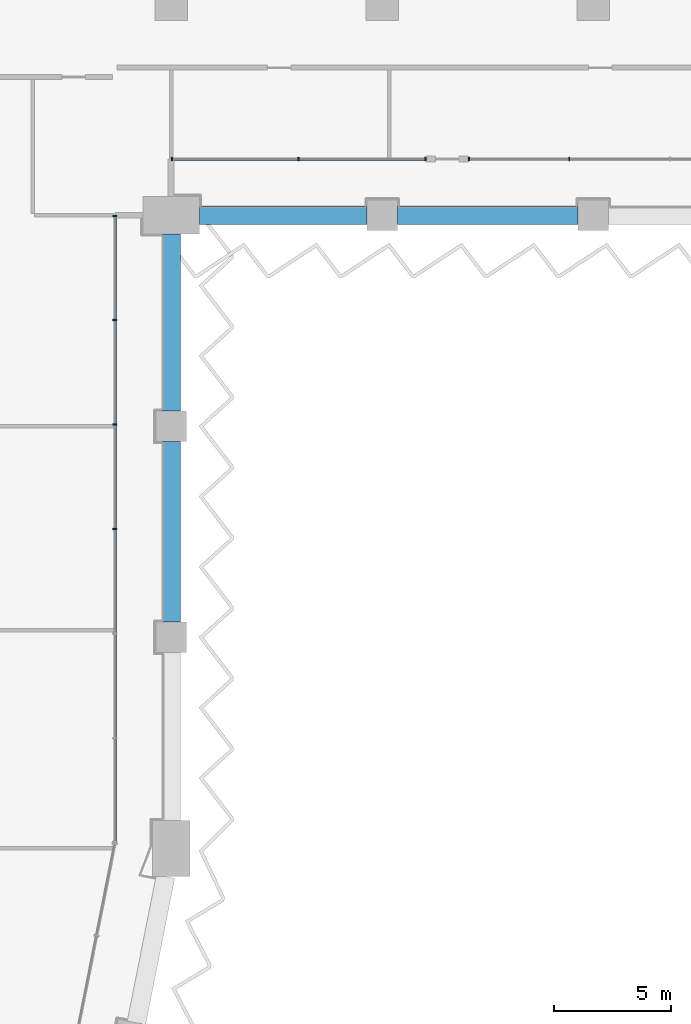
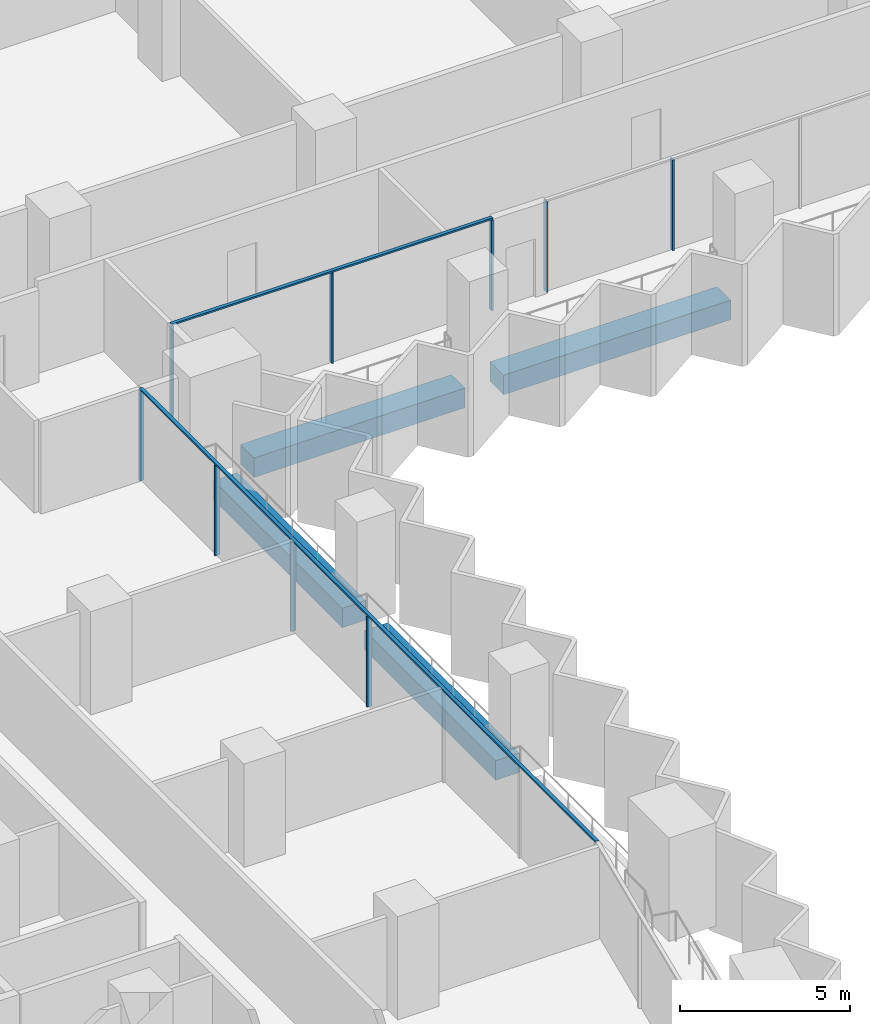
# One storey, part 4 of 29: 11 members, 4 beams, 3 elements without a shape of their own.
"""IFC4 building model written with IfcOpenShell, lengths in metres."""

from ifc_helpers import new_model, si_unit, direction, frame, origin, origin_2d, place, context, subcontext, project, spatial, rectangle, extrude, material, material_profile, profile_set, type_object, element, aggregate, save


model = new_model("IFC4")

# Units and contexts
model_context = context("Model", 3, precision=1e-05, world=origin(), true_north=direction((0.0, 1.0)))
body_context = subcontext(model_context, "Body", "Model", "MODEL_VIEW")
ifc_project = project(units=[si_unit("LENGTHUNIT", "METRE"), si_unit("AREAUNIT", "SQUARE_METRE"), si_unit("VOLUMEUNIT", "CUBIC_METRE"), si_unit("PLANEANGLEUNIT", "RADIAN"), si_unit("MASSUNIT", "GRAM", prefix="KILO")], contexts=[model_context])

# Site, building, storey
site_placement = place(None, origin())
site = spatial("IfcSite", under=ifc_project, at=site_placement, CompositionType="ELEMENT")
building_placement = place(site_placement, origin())
building = spatial("IfcBuilding", under=site, at=building_placement, Name="Hunhe Ridgeline Campus", CompositionType="ELEMENT")
storey_placement = place(building_placement, frame((0.0, 0.0, 65.39990234375)))
storey = spatial("IfcBuildingStorey", under=building, at=storey_placement, Name="L15", CompositionType="ELEMENT", Elevation=65.39990234375)

# Curtain wall, members
ifc_material_1 = material(Name="Aluminium 6063", Category="aluminium")
curtain_wall_type = type_object("IfcCurtainWallType", Name="Curtain wall CW-1", PredefinedType="NOTDEFINED", material=ifc_material_1)
curtain_wall_1_placement = place(storey_placement, origin())
curtain_wall_1 = element("IfcCurtainWall", 1, at=curtain_wall_1_placement, inside=storey, type_object=curtain_wall_type, Name="Curtain wall 11", PredefinedType="NOTDEFINED")
ifc_material_profile_1 = material_profile(ifc_material_1, rectangle(XDim=0.159912109375, YDim=0.06005859375, at=origin_2d()))
ifc_profile_set_1 = profile_set([ifc_material_profile_1], Name="Aluminium 6063")
member_type_1 = type_object("IfcMemberType", Name="CW-1 aluminium mullion", PredefinedType="MULLION", material=ifc_profile_set_1)
member_1_placement = place(storey_placement, frame((42.59912109375, 40.618408203125, 0.0), z_axis=(0.0, 0.0, 1.0), x_axis=(-1.0, 1.8682e-07, 0.0)))
member_1 = element("IfcMember", 2, at=member_1_placement, type_object=member_type_1, Name="CW-1 mullion 4", PredefinedType="MULLION", context=body_context, shape_type="SweptSolid", body=[
    extrude(rectangle(XDim=0.159912109375, YDim=0.06005859375, at=origin_2d()), origin(), (0.0, 0.0, 1.0), 3.239990234375),
])
member_2_placement = place(storey_placement, frame((42.59912109375, 45.078857421875, 0.0), z_axis=(0.0, 0.0, 1.0), x_axis=(-1.0, 1.8682e-07, 0.0)))
member_2 = element("IfcMember", 3, at=member_2_placement, type_object=member_type_1, Name="CW-1 mullion 5", PredefinedType="MULLION", context=body_context, shape_type="SweptSolid", body=[
    extrude(rectangle(XDim=0.159912109375, YDim=0.06005859375, at=origin_2d()), origin(), (0.0, 0.0, 1.0), 3.239990234375),
])
member_3_placement = place(storey_placement, frame((42.59912109375, 49.53955078125, 0.0), z_axis=(0.0, 0.0, 1.0), x_axis=(-1.0, 1.8682e-07, 0.0)))
member_3 = element("IfcMember", 4, at=member_3_placement, type_object=member_type_1, Name="CW-1 mullion 6", PredefinedType="MULLION", context=body_context, shape_type="SweptSolid", body=[
    extrude(rectangle(XDim=0.159912109375, YDim=0.06005859375, at=origin_2d()), origin(), (0.0, 0.0, 1.0), 3.239990234375),
])
member_4_placement = place(storey_placement, frame((42.59912109375, 53.97021484375, 0.0), z_axis=(0.0, 0.0, 1.0), x_axis=(-1.0, 1.8682e-07, 0.0)))
member_4 = element("IfcMember", 5, at=member_4_placement, type_object=member_type_1, Name="CW-1 mullion 7", PredefinedType="MULLION", context=body_context, shape_type="SweptSolid", body=[
    extrude(rectangle(XDim=0.159912109375, YDim=0.06005859375, at=origin_2d()), origin(), (0.0, 0.0, 1.0), 3.239990234375),
])

curtain_wall_2_placement = place(storey_placement, origin())
curtain_wall_2 = element("IfcCurtainWall", 6, at=curtain_wall_2_placement, inside=storey, type_object=curtain_wall_type, Name="Curtain wall 12", PredefinedType="NOTDEFINED")
member_5_placement = place(storey_placement, frame((45.029541015625, 56.40087890625, 0.0), z_axis=(0.0, 0.0, 1.0), x_axis=(-3.58625e-06, 0.999999999994, 0.0)))
member_5 = element("IfcMember", 7, at=member_5_placement, type_object=member_type_1, Name="CW-1 mullion 1", PredefinedType="MULLION", context=body_context, shape_type="SweptSolid", body=[
    extrude(rectangle(XDim=0.159912109375, YDim=0.06005859375, at=origin_2d()), origin(), (0.0, 0.0, 1.0), 3.239990234375),
])
member_6_placement = place(storey_placement, frame((50.436767578125, 56.40087890625, 0.0), z_axis=(0.0, 0.0, 1.0), x_axis=(-3.58625e-06, 0.999999999994, 0.0)))
member_6 = element("IfcMember", 8, at=member_6_placement, type_object=member_type_1, Name="CW-1 mullion 2", PredefinedType="MULLION", context=body_context, shape_type="SweptSolid", body=[
    extrude(rectangle(XDim=0.159912109375, YDim=0.06005859375, at=origin_2d()), origin(), (0.0, 0.0, 1.0), 3.239990234375),
])
member_7_placement = place(storey_placement, frame((55.84423828125, 56.40087890625, 0.0), z_axis=(0.0, 0.0, 1.0), x_axis=(-3.58625e-06, 0.999999999994, 0.0)))
member_7 = element("IfcMember", 9, at=member_7_placement, type_object=member_type_1, Name="CW-1 mullion 3", PredefinedType="MULLION", context=body_context, shape_type="SweptSolid", body=[
    extrude(rectangle(XDim=0.159912109375, YDim=0.06005859375, at=origin_2d()), origin(), (0.0, 0.0, 1.0), 3.239990234375),
])

curtain_wall_3_placement = place(storey_placement, origin())
curtain_wall_3 = element("IfcCurtainWall", 10, at=curtain_wall_3_placement, inside=storey, type_object=curtain_wall_type, Name="Curtain wall 13", PredefinedType="NOTDEFINED")
member_8_placement = place(storey_placement, frame((57.704345703125, 56.40087890625, 0.0), z_axis=(0.0, 0.0, 1.0), x_axis=(-3.602063e-06, 0.999999999994, 0.0)))
member_8 = element("IfcMember", 11, at=member_8_placement, type_object=member_type_1, Name="CW-1 mullion 1", PredefinedType="MULLION", context=body_context, shape_type="SweptSolid", body=[
    extrude(rectangle(XDim=0.159912109375, YDim=0.06005859375, at=origin_2d()), origin(), (0.0, 0.0, 1.0), 3.239990234375),
])
member_9_placement = place(storey_placement, frame((61.977294921875, 56.40087890625, 0.0), z_axis=(0.0, 0.0, 1.0), x_axis=(-3.602063e-06, 0.999999999994, 0.0)))
member_9 = element("IfcMember", 12, at=member_9_placement, type_object=member_type_1, Name="CW-1 mullion 2", PredefinedType="MULLION", context=body_context, shape_type="SweptSolid", body=[
    extrude(rectangle(XDim=0.159912109375, YDim=0.06005859375, at=origin_2d()), origin(), (0.0, 0.0, 1.0), 3.239990234375),
])
aggregate(curtain_wall_3, [member_8, member_9])

# Member
ifc_material_profile_2 = material_profile(ifc_material_1, rectangle(XDim=0.1201171875, YDim=0.06005859375, at=origin_2d()))
ifc_profile_set_2 = profile_set([ifc_material_profile_2], Name="Aluminium 6063")
member_type_2 = type_object("IfcMemberType", Name="CW-1 aluminium transom", PredefinedType="USERDEFINED", material=ifc_profile_set_2)
member_10_placement = place(storey_placement, frame((42.59912109375, 27.236572265625, 3.27001953125), z_axis=(0.0, 1.0, 0.0), x_axis=(-1.0, 0.0, 0.0)))
member_10 = element("IfcMember", 13, at=member_10_placement, type_object=member_type_2, Name="CW-1 transom 1", ObjectType="TRANSOM", PredefinedType="USERDEFINED", context=body_context, shape_type="SweptSolid", body=[
    extrude(rectangle(XDim=0.1201171875, YDim=0.06005859375, at=origin_2d()), origin(), (0.0, 0.0, 1.0), 26.763427734375),
])

aggregate(curtain_wall_1, [member_10, member_1, member_2, member_3, member_4])

member_11_placement = place(storey_placement, frame((44.99951171875, 56.40087890625, 3.27001953125), z_axis=(1.0, 0.0, 0.0), x_axis=(0.0, 1.0, 0.0)))
member_11 = element("IfcMember", 14, at=member_11_placement, type_object=member_type_2, Name="CW-1 transom 1", ObjectType="TRANSOM", PredefinedType="USERDEFINED", context=body_context, shape_type="SweptSolid", body=[
    extrude(rectangle(XDim=0.1201171875, YDim=0.06005859375, at=origin_2d()), origin(), (0.0, 0.0, 1.0), 10.874755859375),
])

aggregate(curtain_wall_2, [member_11, member_5, member_6, member_7])

# Beams
ifc_material_2 = material(Name="Concrete C60", Category="concrete")
ifc_material_profile_3 = material_profile(ifc_material_2, rectangle(XDim=0.800048828125, YDim=0.699951171875, at=origin_2d()))
ifc_profile_set_3 = profile_set([ifc_material_profile_3], Name="Concrete C60")
beam_type = type_object("IfcBeamType", Name="RC spandrel beam 800x700 Concrete C60", PredefinedType="SPANDREL", material=ifc_profile_set_3)
beam_1_placement = place(storey_placement, frame((45.0, 36.64990234375, -0.599853515625), z_axis=(0.0, 1.0, 0.0), x_axis=(-1.0, 0.0, 0.0)))
element("IfcBeam", 15, at=beam_1_placement, inside=storey, type_object=beam_type, Name="Spandrel beam B1-10 L15", PredefinedType="SPANDREL", context=body_context, shape_type="SweptSolid", body=[
    extrude(rectangle(XDim=0.800048828125, YDim=0.699951171875, at=origin_2d()), origin(), (0.0, 0.0, 1.0), 7.7001953125),
])
beam_2_placement = place(storey_placement, frame((45.0, 45.64990234375, -0.599853515625), z_axis=(0.0, 1.0, 0.0), x_axis=(-1.0, 0.0, 0.0)))
element("IfcBeam", 16, at=beam_2_placement, inside=storey, type_object=beam_type, Name="Spandrel beam B1-11 L15", PredefinedType="SPANDREL", context=body_context, shape_type="SweptSolid", body=[
    extrude(rectangle(XDim=0.800048828125, YDim=0.699951171875, at=origin_2d()), origin(), (0.0, 0.0, 1.0), 7.550048828125),
])
beam_3_placement = place(storey_placement, frame((46.199951171875, 54.0, -0.599853515625), z_axis=(1.0, 0.0, 0.0), x_axis=(0.0, 1.0, 0.0)))
element("IfcBeam", 17, at=beam_3_placement, inside=storey, type_object=beam_type, Name="Spandrel beam B1-12 L15", PredefinedType="SPANDREL", context=body_context, shape_type="SweptSolid", body=[
    extrude(rectangle(XDim=0.800048828125, YDim=0.699951171875, at=origin_2d()), origin(), (0.0, 0.0, 1.0), 7.150146484375),
])
beam_4_placement = place(storey_placement, frame((54.64990234375, 54.0, -0.599853515625), z_axis=(1.0, 0.0, 0.0), x_axis=(0.0, 1.0, 0.0)))
element("IfcBeam", 18, at=beam_4_placement, inside=storey, type_object=beam_type, Name="Spandrel beam B1-13 L15", PredefinedType="SPANDREL", context=body_context, shape_type="SweptSolid", body=[
    extrude(rectangle(XDim=0.800048828125, YDim=0.699951171875, at=origin_2d()), origin(), (0.0, 0.0, 1.0), 7.7001953125),
])

save(model, "model.ifc")
